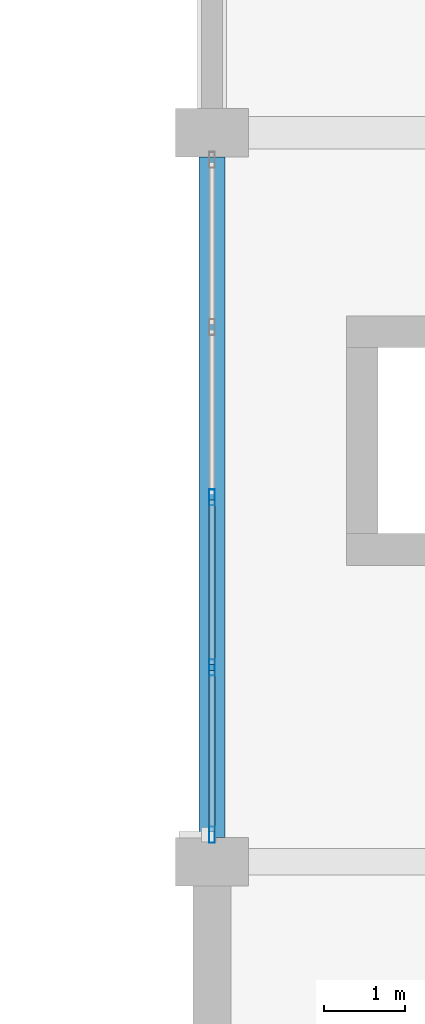
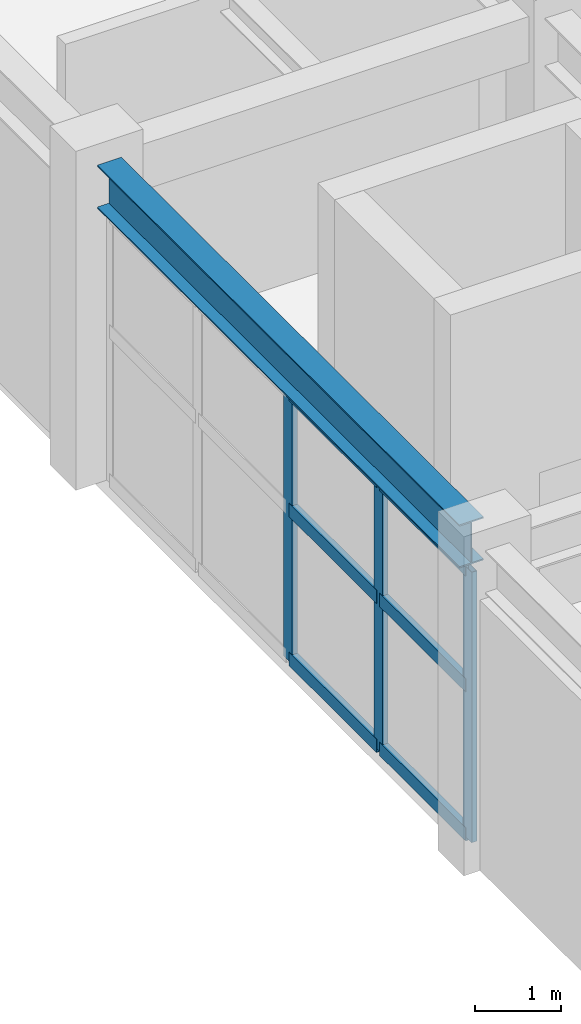
# One storey, part 6 of 80: 9 members, 1 beam, 1 element without a shape of its own.
"""IFC4 building model written with IfcOpenShell, lengths in metres."""

from ifc_helpers import new_model, si_unit, direction, frame, origin, origin_2d, place, context, subcontext, project, spatial, hollow_rectangle, i_section, extrude, material, layer, layer_set, material_profile, profile_set, type_object, element, aggregate, save


model = new_model("IFC4")

# Units and contexts
model_context = context("Model", 3, precision=1e-05, world=origin(), true_north=direction((0.0, 1.0)))
body_context = subcontext(model_context, "Body", "Model", "MODEL_VIEW")
ifc_project = project(units=[si_unit("LENGTHUNIT", "METRE"), si_unit("AREAUNIT", "SQUARE_METRE"), si_unit("VOLUMEUNIT", "CUBIC_METRE"), si_unit("PLANEANGLEUNIT", "RADIAN"), si_unit("MASSUNIT", "GRAM", prefix="KILO")], contexts=[model_context])

# Site, building, storey
site_placement = place(None, origin())
site = spatial("IfcSite", under=ifc_project, at=site_placement, CompositionType="ELEMENT")
building_placement = place(site_placement, origin())
building = spatial("IfcBuilding", under=site, at=building_placement, Name="Vaelkrest Opera House", CompositionType="ELEMENT")
storey_placement = place(building_placement, frame((0.0, 0.0, 15.0)))
storey = spatial("IfcBuildingStorey", under=building, at=storey_placement, Name="L03", CompositionType="ELEMENT", Elevation=15.0)

# Curtain wall, members
ifc_material_1 = material(Name="Dark bronze anodized aluminium", Category="aluminium")
ifc_layer = layer(ifc_material_1, 0.22998046875)
ifc_layer_set = layer_set([ifc_layer], Name="Dark bronze anodized aluminium")
curtain_wall_type = type_object("IfcCurtainWallType", Name="CW06", PredefinedType="NOTDEFINED", material=ifc_layer_set)
curtain_wall_placement = place(storey_placement, origin())
curtain_wall = element("IfcCurtainWall", 1, at=curtain_wall_placement, inside=storey, type_object=curtain_wall_type, Name="Curtain wall CW-L03-048", PredefinedType="NOTDEFINED")
ifc_material_profile_1 = material_profile(ifc_material_1, hollow_rectangle(XDim=0.070068359375, YDim=0.199951171875, WallThickness=0.004150390625, at=origin_2d()), Name="CWM70X200")
ifc_profile_set_1 = profile_set([ifc_material_profile_1], Name="Dark bronze anodized aluminium")
member_type_1 = type_object("IfcMemberType", Name="CWM02", PredefinedType="MULLION", material=ifc_profile_set_1)
member_1_placement = place(storey_placement, frame((-30.0, -28.467041015625, 0.0), z_axis=(0.0, 0.0, 1.0), x_axis=(-1.0, 0.0, 0.0)))
member_1 = element("IfcMember", 2, at=member_1_placement, type_object=member_type_1, Name="CW06 mullion 1", PredefinedType="MULLION", context=body_context, shape_type="SweptSolid", body=[
    extrude(hollow_rectangle(XDim=0.070068359375, YDim=0.199951171875, WallThickness=0.004150390625, at=origin_2d()), origin(), (0.0, 0.0, 1.0), 3.8291015625),
])
member_2_placement = place(storey_placement, frame((-30.0, -26.40087890625, 0.0), z_axis=(0.0, 0.0, 1.0), x_axis=(-1.0, 0.0, 0.0)))
member_2 = element("IfcMember", 3, at=member_2_placement, type_object=member_type_1, Name="CW06 mullion 2", PredefinedType="MULLION", context=body_context, shape_type="SweptSolid", body=[
    extrude(hollow_rectangle(XDim=0.070068359375, YDim=0.199951171875, WallThickness=0.004150390625, at=origin_2d()), origin(), (0.0, 0.0, 1.0), 3.8291015625),
])
member_3_placement = place(storey_placement, frame((-30.0, -24.300048828125, 0.0), z_axis=(0.0, 0.0, 1.0), x_axis=(-1.0, 0.0, 0.0)))
member_3 = element("IfcMember", 4, at=member_3_placement, type_object=member_type_1, Name="CW06 mullion 3", PredefinedType="MULLION", context=body_context, shape_type="SweptSolid", body=[
    extrude(hollow_rectangle(XDim=0.070068359375, YDim=0.199951171875, WallThickness=0.004150390625, at=origin_2d()), origin(), (0.0, 0.0, 1.0), 3.8291015625),
])
ifc_material_profile_2 = material_profile(ifc_material_1, hollow_rectangle(XDim=0.080078125, YDim=0.18994140625, WallThickness=0.0048828125, at=origin_2d()), Name="CWT80X190")
ifc_profile_set_2 = profile_set([ifc_material_profile_2], Name="Dark bronze anodized aluminium")
member_type_2 = type_object("IfcMemberType", Name="CWT04", PredefinedType="USERDEFINED", material=ifc_profile_set_2)
member_4_placement = place(storey_placement, frame((-30.0, -28.431884765625, 0.0400390625), z_axis=(0.0, 1.0, 0.0), x_axis=(-1.0, 0.0, 0.0)))
member_4 = element("IfcMember", 5, at=member_4_placement, type_object=member_type_2, Name="CW06 transom 1.1", ObjectType="TRANSOM", PredefinedType="USERDEFINED", context=body_context, shape_type="SweptSolid", body=[
    extrude(hollow_rectangle(XDim=0.080078125, YDim=0.18994140625, WallThickness=0.0048828125, at=origin_2d()), origin(), (0.0, 0.0, 1.0), 1.995849609375),
])
member_5_placement = place(storey_placement, frame((-30.0, -28.431884765625, 2.14990234375), z_axis=(0.0, 1.0, 0.0), x_axis=(-1.0, 0.0, 0.0)))
member_5 = element("IfcMember", 6, at=member_5_placement, type_object=member_type_2, Name="CW06 transom 1.2", ObjectType="TRANSOM", PredefinedType="USERDEFINED", context=body_context, shape_type="SweptSolid", body=[
    extrude(hollow_rectangle(XDim=0.080078125, YDim=0.18994140625, WallThickness=0.0048828125, at=origin_2d()), origin(), (0.0, 0.0, 1.0), 1.995849609375),
])
member_6_placement = place(storey_placement, frame((-30.0, -28.431884765625, 3.7890625), z_axis=(0.0, 1.0, 0.0), x_axis=(-1.0, 0.0, 0.0)))
member_6 = element("IfcMember", 7, at=member_6_placement, type_object=member_type_2, Name="CW06 transom 1.3", ObjectType="TRANSOM", PredefinedType="USERDEFINED", context=body_context, shape_type="SweptSolid", body=[
    extrude(hollow_rectangle(XDim=0.080078125, YDim=0.18994140625, WallThickness=0.0048828125, at=origin_2d()), origin(), (0.0, 0.0, 1.0), 1.995849609375),
])
member_7_placement = place(storey_placement, frame((-30.0, -26.365966796875, 0.0400390625), z_axis=(0.0, 1.0, 0.0), x_axis=(-1.0, 0.0, 0.0)))
member_7 = element("IfcMember", 8, at=member_7_placement, type_object=member_type_2, Name="CW06 transom 2.1", ObjectType="TRANSOM", PredefinedType="USERDEFINED", context=body_context, shape_type="SweptSolid", body=[
    extrude(hollow_rectangle(XDim=0.080078125, YDim=0.18994140625, WallThickness=0.0048828125, at=origin_2d()), origin(), (0.0, 0.0, 1.0), 2.031005859375),
])
member_8_placement = place(storey_placement, frame((-30.0, -26.365966796875, 2.14990234375), z_axis=(0.0, 1.0, 0.0), x_axis=(-1.0, 0.0, 0.0)))
member_8 = element("IfcMember", 9, at=member_8_placement, type_object=member_type_2, Name="CW06 transom 2.2", ObjectType="TRANSOM", PredefinedType="USERDEFINED", context=body_context, shape_type="SweptSolid", body=[
    extrude(hollow_rectangle(XDim=0.080078125, YDim=0.18994140625, WallThickness=0.0048828125, at=origin_2d()), origin(), (0.0, 0.0, 1.0), 2.031005859375),
])
member_9_placement = place(storey_placement, frame((-30.0, -26.365966796875, 3.7890625), z_axis=(0.0, 1.0, 0.0), x_axis=(-1.0, 0.0, 0.0)))
member_9 = element("IfcMember", 10, at=member_9_placement, type_object=member_type_2, Name="CW06 transom 2.3", ObjectType="TRANSOM", PredefinedType="USERDEFINED", context=body_context, shape_type="SweptSolid", body=[
    extrude(hollow_rectangle(XDim=0.080078125, YDim=0.18994140625, WallThickness=0.0048828125, at=origin_2d()), origin(), (0.0, 0.0, 1.0), 2.031005859375),
])
aggregate(curtain_wall, [member_1, member_2, member_3, member_4, member_5, member_6, member_7, member_8, member_9])

# Beam
ifc_material_2 = material(Name="Steel A992 Gr50", Category="steel")
ifc_material_profile_3 = material_profile(ifc_material_2, i_section(OverallWidth=0.323974609375, OverallDepth=0.611083984375, WebThickness=0.0126953125, FlangeThickness=0.01904296875, at=origin_2d()), Name="W24X104")
ifc_profile_set_3 = profile_set([ifc_material_profile_3], Name="Steel A992 Gr50")
beam_type = type_object("IfcBeamType", Name="SP01", PredefinedType="SPANDREL", material=ifc_profile_set_3)
beam_placement = place(storey_placement, frame((-30.0, -28.5, 4.199462890625), z_axis=(0.0, 1.0, 0.0), x_axis=(-1.0, 0.0, 0.0)))
element("IfcBeam", 11, at=beam_placement, inside=storey, type_object=beam_type, Name="Beam BM-V1-L03-0476", PredefinedType="SPANDREL", context=body_context, shape_type="SweptSolid", body=[
    extrude(i_section(OverallWidth=0.323974609375, OverallDepth=0.611083984375, WebThickness=0.0126953125, FlangeThickness=0.01904296875, at=origin_2d()), origin(), (0.0, 0.0, 1.0), 8.39990234375),
])

save(model, "model.ifc")
